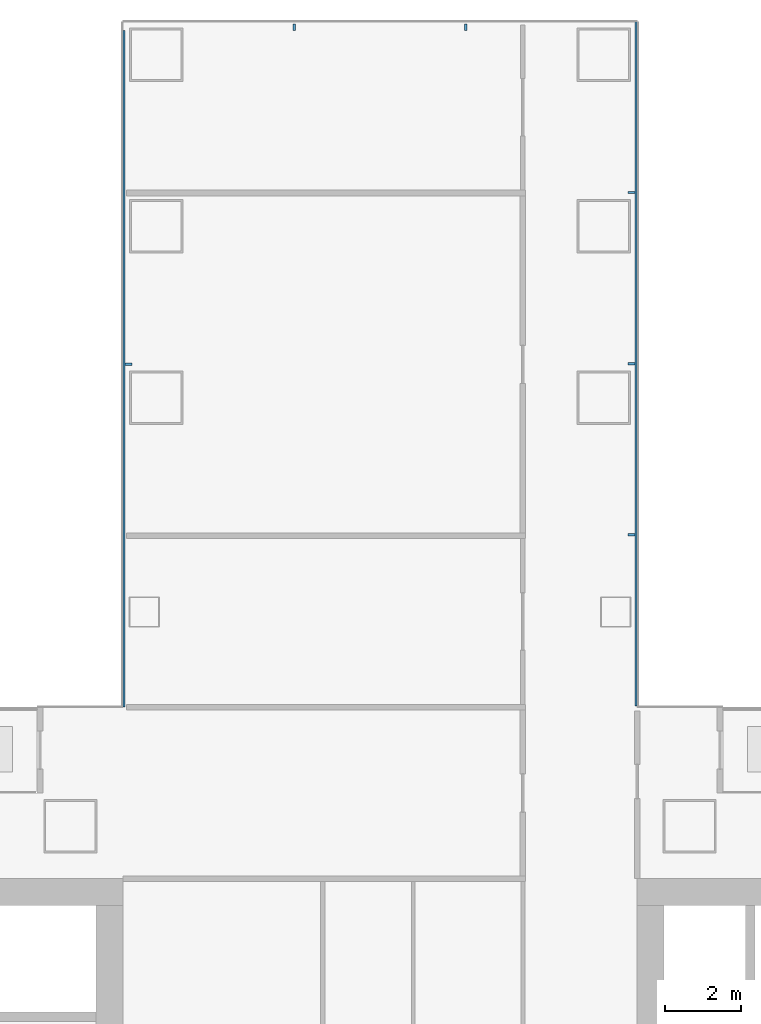
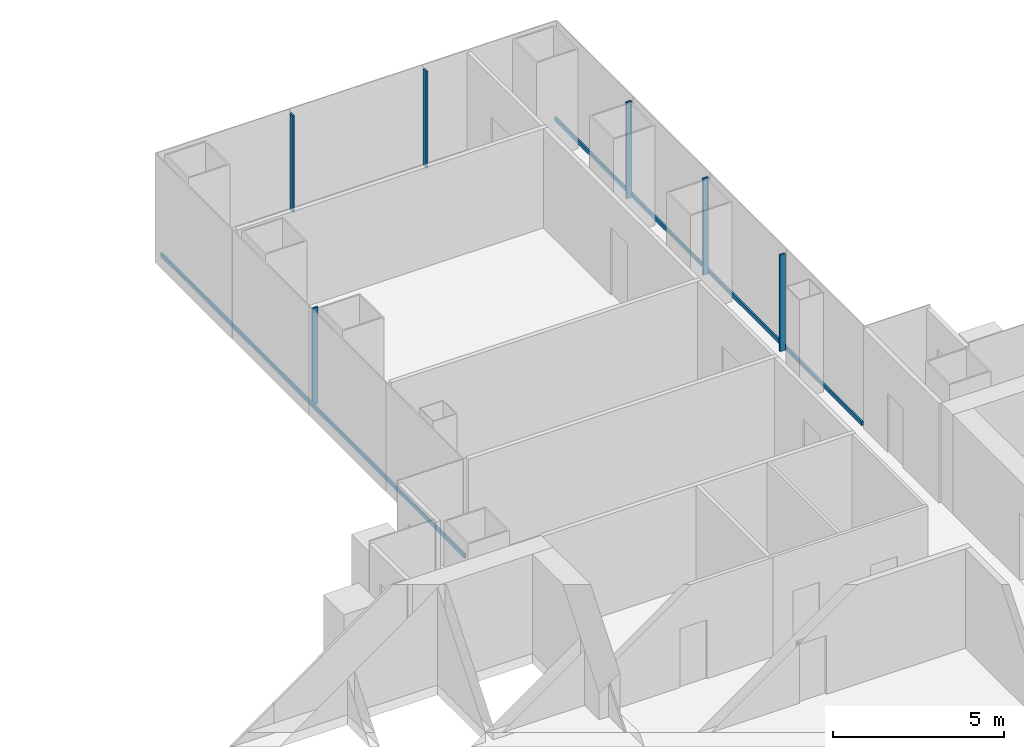
# One storey, part 9 of 21: 8 members, 3 elements without a shape of their own.
"""IFC4 building model written with IfcOpenShell, lengths in metres."""

from ifc_helpers import new_model, si_unit, direction, frame, origin, origin_2d, place, context, subcontext, project, spatial, rectangle, extrude, material, layer, layer_set, material_profile, profile_set, type_object, element, aggregate, save


model = new_model("IFC4")

# Units and contexts
model_context = context("Model", 3, precision=1e-05, world=origin(), true_north=direction((0.0, 1.0)))
body_context = subcontext(model_context, "Body", "Model", "MODEL_VIEW")
ifc_project = project(units=[si_unit("LENGTHUNIT", "METRE"), si_unit("AREAUNIT", "SQUARE_METRE"), si_unit("VOLUMEUNIT", "CUBIC_METRE"), si_unit("PLANEANGLEUNIT", "RADIAN"), si_unit("MASSUNIT", "GRAM", prefix="KILO")], contexts=[model_context])

# Site, building, storey
site_placement = place(None, origin())
site = spatial("IfcSite", under=ifc_project, at=site_placement, CompositionType="ELEMENT")
building_placement = place(site_placement, origin())
building = spatial("IfcBuilding", under=site, at=building_placement, Name="Shamsa Quay Exchange Towers", CompositionType="ELEMENT")
storey_placement = place(building_placement, frame((0.0, 0.0, 53.699951171875)))
storey = spatial("IfcBuildingStorey", under=building, at=storey_placement, Name="L11", CompositionType="ELEMENT", Elevation=53.699951171875)

# Curtain wall, members
ifc_material = material(Name="Aluminium EN AW-6063 T6, black anodised", Category="aluminium")
ifc_layer = layer(ifc_material, 0.280029296875)
ifc_layer_set = layer_set([ifc_layer], Name="CW-1 UNITISED VISION GLASS")
curtain_wall_type = type_object("IfcCurtainWallType", Name="CW-1 UNITISED VISION GLASS", PredefinedType="NOTDEFINED", material=ifc_layer_set)
curtain_wall_1_placement = place(storey_placement, origin())
curtain_wall_1 = element("IfcCurtainWall", 1, at=curtain_wall_1_placement, inside=storey, type_object=curtain_wall_type, Name="CW1 T2-FLK-U+S L11", PredefinedType="NOTDEFINED")
ifc_material_profile_1 = material_profile(ifc_material, rectangle(XDim=0.179931640625, YDim=0.06005859375, at=origin_2d()), Name="MU60x180")
ifc_profile_set_1 = profile_set([ifc_material_profile_1], Name="Aluminium EN AW-6063 T6, black anodised")
member_type_1 = type_object("IfcMemberType", Name="CW1 MULLION 60x180", PredefinedType="MULLION", material=ifc_profile_set_1)
member_1_placement = place(storey_placement, frame((40.35009765625, 15.778564453125, 0.0), z_axis=(0.0, 0.0, 1.0), x_axis=(-1.0, 0.0, 0.0)))
member_1 = element("IfcMember", 2, at=member_1_placement, type_object=member_type_1, Name="CW1 mullion", PredefinedType="MULLION", context=body_context, shape_type="SweptSolid", body=[
    extrude(rectangle(XDim=0.179931640625, YDim=0.06005859375, at=origin_2d()), origin(), (0.0, 0.0, 1.0), 3.449951171875),
])
member_2_placement = place(storey_placement, frame((40.35009765625, 20.26904296875, 0.0), z_axis=(0.0, 0.0, 1.0), x_axis=(-1.0, 0.0, 0.0)))
member_2 = element("IfcMember", 3, at=member_2_placement, type_object=member_type_1, Name="CW1 mullion", PredefinedType="MULLION", context=body_context, shape_type="SweptSolid", body=[
    extrude(rectangle(XDim=0.179931640625, YDim=0.06005859375, at=origin_2d()), origin(), (0.0, 0.0, 1.0), 3.449951171875),
])
member_3_placement = place(storey_placement, frame((40.35009765625, 24.759521484375, 0.0), z_axis=(0.0, 0.0, 1.0), x_axis=(-1.0, 0.0, 0.0)))
member_3 = element("IfcMember", 4, at=member_3_placement, type_object=member_type_1, Name="CW1 mullion", PredefinedType="MULLION", context=body_context, shape_type="SweptSolid", body=[
    extrude(rectangle(XDim=0.179931640625, YDim=0.06005859375, at=origin_2d()), origin(), (0.0, 0.0, 1.0), 3.449951171875),
])

curtain_wall_2_placement = place(storey_placement, origin())
curtain_wall_2 = element("IfcCurtainWall", 5, at=curtain_wall_2_placement, inside=storey, type_object=curtain_wall_type, Name="CW1 T2-END-U+ L11", PredefinedType="NOTDEFINED")
member_4_placement = place(storey_placement, frame((36.0, 29.10009765625, 0.0), z_axis=(0.0, 0.0, 1.0), x_axis=(0.0, -1.0, 0.0)))
member_4 = element("IfcMember", 6, at=member_4_placement, type_object=member_type_1, Name="CW1 mullion", PredefinedType="MULLION", context=body_context, shape_type="SweptSolid", body=[
    extrude(rectangle(XDim=0.179931640625, YDim=0.06005859375, at=origin_2d()), origin(), (0.0, 0.0, 1.0), 3.449951171875),
])
member_5_placement = place(storey_placement, frame((31.5, 29.10009765625, 0.0), z_axis=(0.0, 0.0, 1.0), x_axis=(0.0, -1.0, 0.0)))
member_5 = element("IfcMember", 7, at=member_5_placement, type_object=member_type_1, Name="CW1 mullion", PredefinedType="MULLION", context=body_context, shape_type="SweptSolid", body=[
    extrude(rectangle(XDim=0.179931640625, YDim=0.06005859375, at=origin_2d()), origin(), (0.0, 0.0, 1.0), 3.449951171875),
])
aggregate(curtain_wall_2, [member_4, member_5])

# Curtain wall, member
curtain_wall_3_placement = place(storey_placement, origin())
curtain_wall_3 = element("IfcCurtainWall", 8, at=curtain_wall_3_placement, inside=storey, type_object=curtain_wall_type, Name="CW1 T2-FLK-U+N L11", PredefinedType="NOTDEFINED")
member_6_placement = place(storey_placement, frame((27.14990234375, 20.25, 0.0)))
member_6 = element("IfcMember", 9, at=member_6_placement, type_object=member_type_1, Name="CW1 mullion", PredefinedType="MULLION", context=body_context, shape_type="SweptSolid", body=[
    extrude(rectangle(XDim=0.179931640625, YDim=0.06005859375, at=origin_2d()), origin(), (0.0, 0.0, 1.0), 3.449951171875),
])

# Member
ifc_material_profile_2 = material_profile(ifc_material, rectangle(XDim=0.06005859375, YDim=0.139892578125, at=origin_2d()), Name="TR140x60")
ifc_profile_set_2 = profile_set([ifc_material_profile_2], Name="Aluminium EN AW-6063 T6, black anodised")
member_type_2 = type_object("IfcMemberType", Name="CW1 TRANSOM 140x60", PredefinedType="USERDEFINED", material=ifc_profile_set_2)
member_7_placement = place(storey_placement, frame((40.469970703125, 11.2880859375, 0.070068359375), z_axis=(0.0, 1.0, 0.0), x_axis=(-1.0, 0.0, 0.0)))
member_7 = element("IfcMember", 10, at=member_7_placement, type_object=member_type_2, Name="CW1 transom", ObjectType="TRANSOM", PredefinedType="USERDEFINED", context=body_context, shape_type="SweptSolid", body=[
    extrude(rectangle(XDim=0.06005859375, YDim=0.139892578125, at=origin_2d()), origin(), (0.0, 0.0, 1.0), 17.9619140625),
])

aggregate(curtain_wall_1, [member_7, member_1, member_2, member_3])

member_8_placement = place(storey_placement, frame((27.030029296875, 29.008056640625, 0.070068359375), z_axis=(0.0, -1.0, 0.0), x_axis=(1.0, 0.0, 0.0)))
member_8 = element("IfcMember", 11, at=member_8_placement, type_object=member_type_2, Name="CW1 transom", ObjectType="TRANSOM", PredefinedType="USERDEFINED", context=body_context, shape_type="SweptSolid", body=[
    extrude(rectangle(XDim=0.06005859375, YDim=0.139892578125, at=origin_2d()), origin(), (0.0, 0.0, 1.0), 17.758056640625),
])

aggregate(curtain_wall_3, [member_8, member_6])

save(model, "model.ifc")
